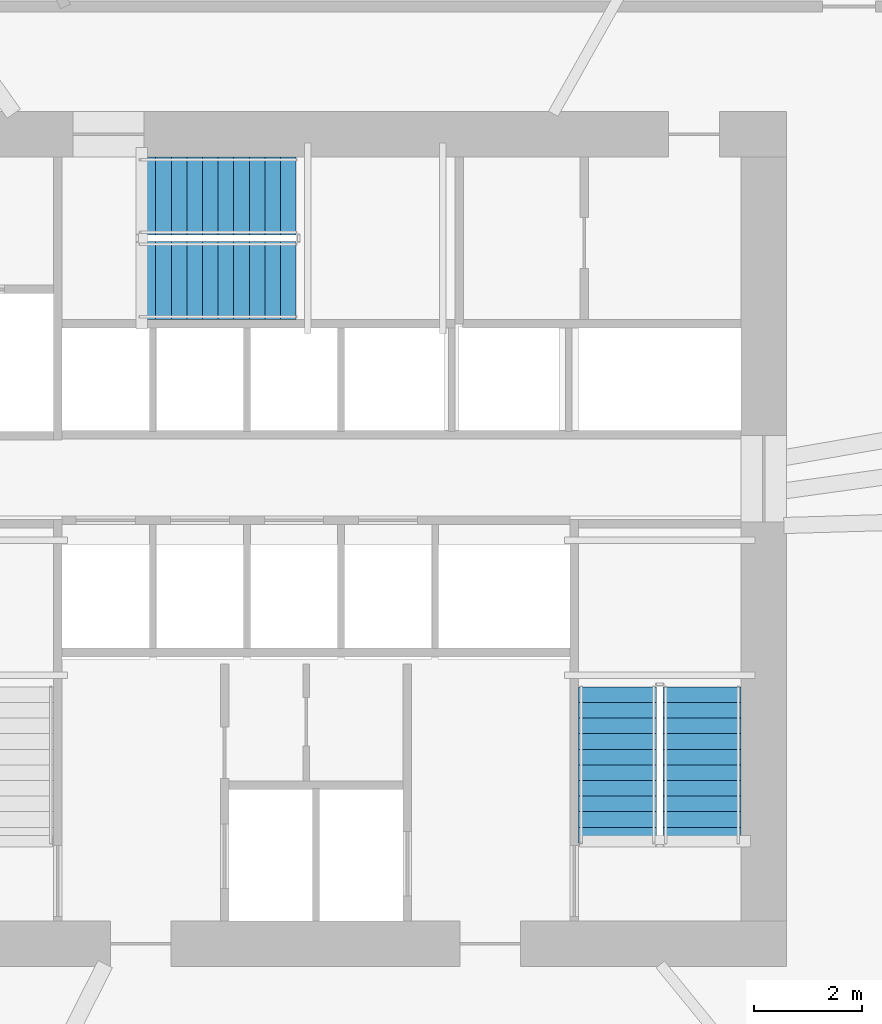
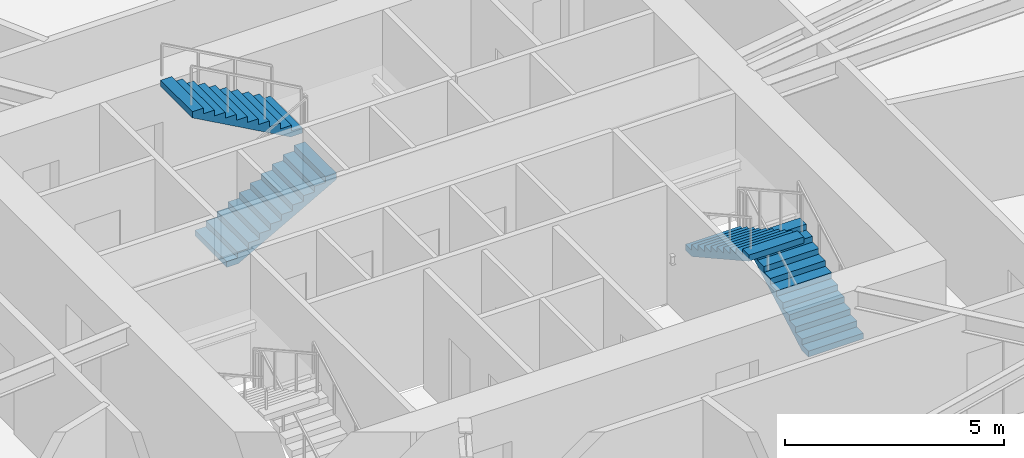
# One storey, part 18 of 21: 4 stair flights, 2 elements without a shape of their own.
"""IFC4 building model written with IfcOpenShell, lengths in metres."""

from ifc_helpers import new_model, si_unit, direction, frame, origin, place, context, subcontext, project, spatial, polyline, outline, extrude, material, type_object, element, aggregate, save


model = new_model("IFC4")

# Units and contexts
model_context = context("Model", 3, precision=1e-05, world=origin(), true_north=direction((0.0, 1.0)))
body_context = subcontext(model_context, "Body", "Model", "MODEL_VIEW")
ifc_project = project(units=[si_unit("LENGTHUNIT", "METRE"), si_unit("AREAUNIT", "SQUARE_METRE"), si_unit("VOLUMEUNIT", "CUBIC_METRE"), si_unit("PLANEANGLEUNIT", "RADIAN"), si_unit("MASSUNIT", "GRAM", prefix="KILO")], contexts=[model_context])

# Site, building, storey
site_placement = place(None, origin())
site = spatial("IfcSite", under=ifc_project, at=site_placement, CompositionType="ELEMENT")
building_placement = place(site_placement, origin())
building = spatial("IfcBuilding", under=site, at=building_placement, Name="Olszyna Solenne Hotel", CompositionType="ELEMENT")
storey_placement = place(building_placement, frame((0.0, 0.0, 54.14990234375)))
storey = spatial("IfcBuildingStorey", under=building, at=storey_placement, Name="L13", CompositionType="ELEMENT", Elevation=54.14990234375)

# Stair, stair flights
ifc_material = material(Name="Concrete C40/50", Category="concrete")
stair_type = type_object("IfcStairType", Name="STR-C1", PredefinedType="TWO_QUARTER_WINDING_STAIR", material=ifc_material)
stair_1_placement = place(storey_placement, origin())
stair_1 = element("IfcStair", 1, at=stair_1_placement, inside=storey, type_object=stair_type, Name="L13 ST2", PredefinedType="TWO_QUARTER_WINDING_STAIR")
stair_flight_type = type_object("IfcStairFlightType", Name="FLT-C1", PredefinedType="STRAIGHT", material=ifc_material)
stair_flight_1_placement = place(storey_placement, frame((45.175048828125, 20.949951171875, 0.0), z_axis=(0.0, 0.0, 1.0), x_axis=(0.0, 1.0, 0.0)))
stair_flight_1 = element("IfcStairFlight", 2, at=stair_flight_1_placement, type_object=stair_flight_type, Name="ST2 flight 1", NumberOfRisers=11, NumberOfTreads=10, PredefinedType="STRAIGHT", RiserHeight=0.161363636, TreadLength=0.29, context=body_context, shape_type="SweptSolid", body=[
    extrude(outline(polyline([(0.0, 0.0), (0.0, 0.161376953125), (0.2900390625, 0.161376953125), (0.2900390625, 0.32275390625), (0.580078125, 0.32275390625), (0.580078125, 0.484130859375), (0.8701171875, 0.484130859375), (0.8701171875, 0.6455078125), (1.159912109375, 0.6455078125), (1.159912109375, 0.806884765625), (1.449951171875, 0.806884765625), (1.449951171875, 0.96826171875), (1.739990234375, 0.96826171875), (1.739990234375, 1.129638671875), (2.030029296875, 1.129638671875), (2.030029296875, 1.291015625), (2.320068359375, 1.291015625), (2.320068359375, 1.452392578125), (2.610107421875, 1.452392578125), (2.610107421875, 1.613525390625), (2.89990234375, 1.613525390625), (2.89990234375, 1.77490234375), (2.89990234375, 1.442138671875), (0.308349609375, 0.0), (0.0, 0.0)])), frame((0.0, 0.72509765625, 0.0), z_axis=(0.0, -1.0, 0.0), x_axis=(1.0, 0.0, 0.0)), (0.0, 0.0, 1.0), 1.449951171875),
])
stair_flight_2_placement = place(storey_placement, frame((43.60498046875, 23.85009765625, 1.775146484375), z_axis=(0.0, 0.0, 1.0), x_axis=(0.0, -1.0, 0.0)))
stair_flight_2 = element("IfcStairFlight", 3, at=stair_flight_2_placement, type_object=stair_flight_type, Name="ST2 flight 2", NumberOfRisers=11, NumberOfTreads=10, PredefinedType="STRAIGHT", RiserHeight=0.161363636, TreadLength=0.29, context=body_context, shape_type="SweptSolid", body=[
    extrude(outline(polyline([(0.0, 0.0), (0.0, 0.161376953125), (0.2900390625, 0.161376953125), (0.2900390625, 0.32275390625), (0.580078125, 0.32275390625), (0.580078125, 0.484130859375), (0.8701171875, 0.484130859375), (0.8701171875, 0.6455078125), (1.159912109375, 0.6455078125), (1.159912109375, 0.806884765625), (1.449951171875, 0.806884765625), (1.449951171875, 0.96826171875), (1.739990234375, 0.96826171875), (1.739990234375, 1.129638671875), (2.030029296875, 1.129638671875), (2.030029296875, 1.291015625), (2.320068359375, 1.291015625), (2.320068359375, 1.452392578125), (2.610107421875, 1.452392578125), (2.610107421875, 1.613525390625), (2.89990234375, 1.613525390625), (2.89990234375, 1.77490234375), (2.89990234375, 1.442138671875), (0.308349609375, 0.0), (0.0, 0.0)])), frame((0.0, 0.72509765625, 0.0), z_axis=(0.0, -1.0, 0.0), x_axis=(1.0, 0.0, 0.0)), (0.0, 0.0, 1.0), 1.449951171875),
])
aggregate(stair_1, [stair_flight_1, stair_flight_2])

stair_2_placement = place(storey_placement, origin())
stair_2 = element("IfcStair", 4, at=stair_2_placement, inside=storey, type_object=stair_type, Name="L13 ST3", PredefinedType="TWO_QUARTER_WINDING_STAIR")
stair_flight_3_placement = place(storey_placement, frame((34.72998046875, 31.405029296875, 0.0), z_axis=(0.0, 0.0, 1.0), x_axis=(1.0, 0.0, 0.0)))
stair_flight_3 = element("IfcStairFlight", 5, at=stair_flight_3_placement, type_object=stair_flight_type, Name="ST3 flight 1", NumberOfRisers=11, NumberOfTreads=10, PredefinedType="STRAIGHT", RiserHeight=0.161363636, TreadLength=0.29, context=body_context, shape_type="SweptSolid", body=[
    extrude(outline(polyline([(0.0, 0.0), (0.0, 0.161376953125), (0.2900390625, 0.161376953125), (0.2900390625, 0.32275390625), (0.580078125, 0.32275390625), (0.580078125, 0.484130859375), (0.8701171875, 0.484130859375), (0.8701171875, 0.6455078125), (1.159912109375, 0.6455078125), (1.159912109375, 0.806884765625), (1.449951171875, 0.806884765625), (1.449951171875, 0.96826171875), (1.739990234375, 0.96826171875), (1.739990234375, 1.129638671875), (2.030029296875, 1.129638671875), (2.030029296875, 1.291015625), (2.320068359375, 1.291015625), (2.320068359375, 1.452392578125), (2.610107421875, 1.452392578125), (2.610107421875, 1.613525390625), (2.89990234375, 1.613525390625), (2.89990234375, 1.77490234375), (2.89990234375, 1.442138671875), (0.308349609375, 0.0), (0.0, 0.0)])), frame((0.0, 0.72509765625, 0.0), z_axis=(0.0, -1.0, 0.0), x_axis=(1.0, 0.0, 0.0)), (0.0, 0.0, 1.0), 1.449951171875),
])
stair_flight_4_placement = place(storey_placement, frame((37.6298828125, 32.97509765625, 1.775146484375), z_axis=(0.0, 0.0, 1.0), x_axis=(-1.0, 0.0, 0.0)))
stair_flight_4 = element("IfcStairFlight", 6, at=stair_flight_4_placement, type_object=stair_flight_type, Name="ST3 flight 2", NumberOfRisers=11, NumberOfTreads=10, PredefinedType="STRAIGHT", RiserHeight=0.161363636, TreadLength=0.29, context=body_context, shape_type="SweptSolid", body=[
    extrude(outline(polyline([(0.0, 0.0), (0.0, 0.161376953125), (0.2900390625, 0.161376953125), (0.2900390625, 0.32275390625), (0.580078125, 0.32275390625), (0.580078125, 0.484130859375), (0.8701171875, 0.484130859375), (0.8701171875, 0.6455078125), (1.159912109375, 0.6455078125), (1.159912109375, 0.806884765625), (1.449951171875, 0.806884765625), (1.449951171875, 0.96826171875), (1.739990234375, 0.96826171875), (1.739990234375, 1.129638671875), (2.030029296875, 1.129638671875), (2.030029296875, 1.291015625), (2.320068359375, 1.291015625), (2.320068359375, 1.452392578125), (2.610107421875, 1.452392578125), (2.610107421875, 1.613525390625), (2.89990234375, 1.613525390625), (2.89990234375, 1.77490234375), (2.89990234375, 1.442138671875), (0.308349609375, 0.0), (0.0, 0.0)])), frame((0.0, 0.72509765625, 0.0), z_axis=(0.0, -1.0, 0.0), x_axis=(1.0, 0.0, 0.0)), (0.0, 0.0, 1.0), 1.449951171875),
])
aggregate(stair_2, [stair_flight_3, stair_flight_4])

save(model, "model.ifc")
